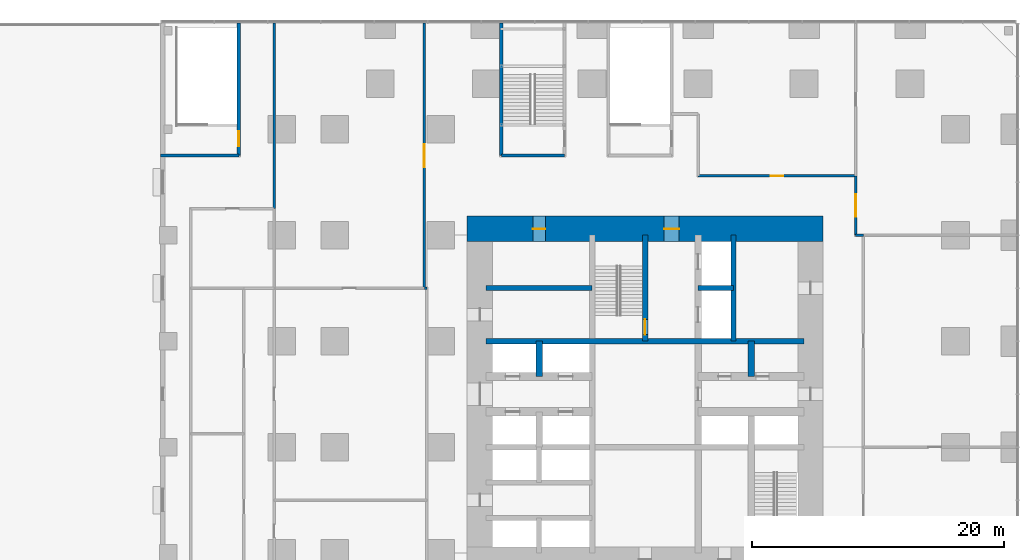
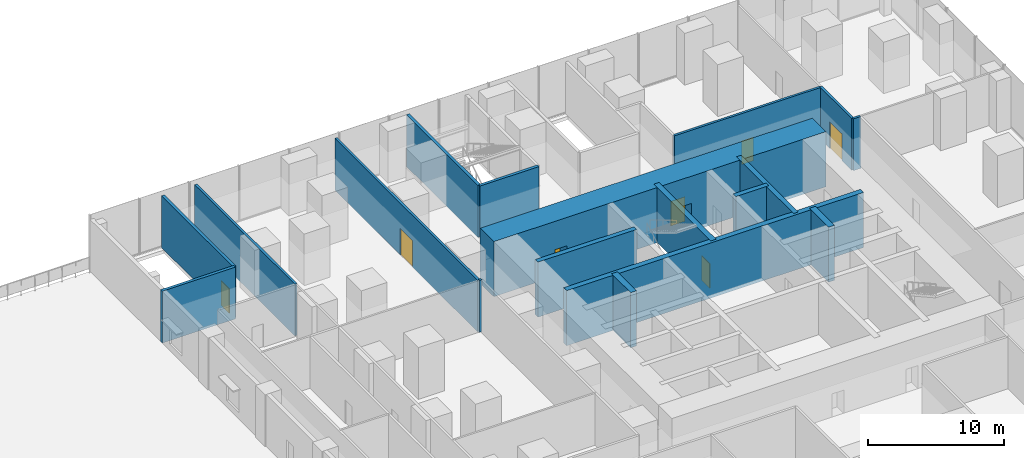
# One storey, part 14 of 18: 18 walls, 7 doors, 7 openings.
"""IFC4 building model written with IfcOpenShell, lengths in metres."""

from ifc_helpers import new_model, si_unit, direction, frame, frame_2d, origin, place, context, subcontext, project, spatial, rectangle, extrude, material, layer, layer_set, type_object, element, fill, save


model = new_model("IFC4")

# Units and contexts
model_context = context("Model", 3, precision=1e-05, world=origin(), true_north=direction((0.0, 1.0)))
body_context = subcontext(model_context, "Body", "Model", "MODEL_VIEW")
ifc_project = project(units=[si_unit("LENGTHUNIT", "METRE"), si_unit("AREAUNIT", "SQUARE_METRE"), si_unit("VOLUMEUNIT", "CUBIC_METRE"), si_unit("PLANEANGLEUNIT", "RADIAN"), si_unit("MASSUNIT", "GRAM", prefix="KILO")], contexts=[model_context])

# Site, building, storey
site_placement = place(None, origin())
site = spatial("IfcSite", under=ifc_project, at=site_placement, CompositionType="ELEMENT")
building_placement = place(site_placement, origin())
building = spatial("IfcBuilding", under=site, at=building_placement, Name="Dunama Terrace Hotel", CompositionType="ELEMENT")
storey_placement = place(building_placement, frame((0.0, 0.0, 17.0)))
storey = spatial("IfcBuildingStorey", under=building, at=storey_placement, Name="L03", CompositionType="ELEMENT", Elevation=17.0)

# Walls
ifc_material_1 = material(Name="Concrete C50/60", Category="concrete")
ifc_layer_1 = layer(ifc_material_1, 0.39990234375)
ifc_layer_set_1 = layer_set([ifc_layer_1], Name="Core inner wall 400")
wall_type_1 = type_object("IfcWallType", Name="Core inner wall 400", PredefinedType="SHEAR", material=ifc_layer_set_1)
for number, where, z_axis, x_axis, name in (
    (1, (36.39990234375, 33.60009765625, -0.300048828125), (0.0, 0.0, 1.0), (0.0, 1.0, 0.0), "Core inner wall 400 L03"),
    (2, (16.800048828125, 37.800048828125, -0.300048828125), (0.0, 0.0, 1.0), (1.0, 0.0, 0.0), "Core inner wall 400 L03"),
):
    element("IfcWall", number, at=place(storey_placement, frame(where, z_axis=z_axis, x_axis=x_axis)), inside=storey, type_object=wall_type_1, Name=name, PredefinedType="SHEAR", context=body_context, shape_type="SweptSolid", body=[
        extrude(rectangle(XDim=8.39990234375, YDim=0.39990234375, at=frame_2d((4.199951171875, 0.0))), origin(), (0.0, 0.0, 1.0), 4.949951171875),
    ])
wall_1_placement = place(storey_placement, frame((33.60009765625, 37.800048828125, -0.300048828125), z_axis=(0.0, 0.0, 1.0), x_axis=(1.0, 0.0, 0.0)))
element("IfcWall", 3, at=wall_1_placement, inside=storey, type_object=wall_type_1, Name="Core inner wall 400 L03", PredefinedType="SHEAR", context=body_context, shape_type="SweptSolid", body=[
    extrude(rectangle(XDim=2.7998046875, YDim=0.39990234375, at=frame_2d((1.39990234375, 0.0))), origin(), (0.0, 0.0, 1.0), 4.949951171875),
])

# Wall, opening, door
ifc_material_2 = material(Name="Concrete C50/60", Category="concrete")
ifc_layer_2 = layer(ifc_material_2, 0.449951171875)
ifc_layer_set_2 = layer_set([ifc_layer_2], Name="Core inner wall 450")
wall_type_2 = type_object("IfcWallType", Name="Core inner wall 450", PredefinedType="SHEAR", material=ifc_layer_set_2)
wall_2_placement = place(storey_placement, frame((29.39990234375, 33.60009765625, -0.300048828125), z_axis=(0.0, 0.0, 1.0), x_axis=(0.0, 1.0, 0.0)))
wall_2 = element("IfcWall", 4, at=wall_2_placement, inside=storey, type_object=wall_type_2, Name="Core inner wall 450 L03", PredefinedType="SHEAR", context=body_context, shape_type="SweptSolid", body=[
    extrude(rectangle(XDim=8.39990234375, YDim=0.449951171875, at=frame_2d((4.199951171875, 0.0))), origin(), (0.0, 0.0, 1.0), 4.949951171875),
])
opening_1_placement = place(wall_2_placement, frame((0.52490234375, 0.0, 0.300048828125)))
opening_1 = element("IfcOpeningElement", 5, at=opening_1_placement, cuts=wall_2, Name="Opening L03-006", PredefinedType="OPENING", context=body_context, shape_type="SweptSolid", body=[
    extrude(rectangle(XDim=1.199951171875, YDim=2.199951171875, at=frame_2d((0.60009765625, 1.10009765625))), frame((0.0, 0.23486328125, 0.0), z_axis=(0.0, -1.0, 0.0), x_axis=(1.0, 0.0, 0.0)), (0.0, 0.0, 1.0), 0.469970703125),
])
ifc_material_3 = material(Name="Timber door with steel frame", Category="steel")
door_type_1 = type_object("IfcDoorType", Name="Stair door 1200", OperationType="SINGLE_SWING_LEFT", PredefinedType="DOOR", material=ifc_material_3)
door_1_placement = place(opening_1_placement, origin())
door_1 = element("IfcDoor", 6, at=door_1_placement, inside=storey, type_object=door_type_1, Name="Stair door ST1 L03-006, type D5", OperationType="SINGLE_SWING_LEFT", OverallHeight=2.199951171875, OverallWidth=1.199951171875, PredefinedType="DOOR", context=body_context, shape_type="SweptSolid", body=[
    extrude(rectangle(XDim=1.199951171875, YDim=2.199951171875, at=frame_2d((0.60009765625, 1.10009765625))), frame((0.0, 0.02490234375, 0.0), z_axis=(0.0, -1.0, 0.0), x_axis=(1.0, 0.0, 0.0)), (0.0, 0.0, 1.0), 0.050048828125),
])
fill(opening_1, door_1)

# Walls
wall_3_placement = place(storey_placement, frame((16.800048828125, 33.60009765625, -0.300048828125), z_axis=(0.0, 0.0, 1.0), x_axis=(1.0, 0.0, 0.0)))
element("IfcWall", 7, at=wall_3_placement, inside=storey, type_object=wall_type_2, Name="Core inner wall 450 L03", PredefinedType="SHEAR", context=body_context, shape_type="SweptSolid", body=[
    extrude(rectangle(XDim=25.199951171875, YDim=0.449951171875, at=frame_2d((12.60009765625, 0.0))), origin(), (0.0, 0.0, 1.0), 4.949951171875),
])
ifc_material_4 = material(Name="Concrete C50/60", Category="concrete")
ifc_layer_3 = layer(ifc_material_4, 0.5)
ifc_layer_set_3 = layer_set([ifc_layer_3], Name="Core inner wall 500")
wall_type_3 = type_object("IfcWallType", Name="Core inner wall 500", PredefinedType="SHEAR", material=ifc_layer_set_3)
for number, where, z_axis, x_axis, name in (
    (8, (21.0, 30.800048828125, -0.300048828125), (0.0, 0.0, 1.0), (0.0, 1.0, 0.0), "Core inner wall 500 L03"),
    (9, (37.800048828125, 30.800048828125, -0.300048828125), (0.0, 0.0, 1.0), (0.0, 1.0, 0.0), "Core inner wall 500 L03"),
):
    element("IfcWall", number, at=place(storey_placement, frame(where, z_axis=z_axis, x_axis=x_axis)), inside=storey, type_object=wall_type_3, Name=name, PredefinedType="SHEAR", context=body_context, shape_type="SweptSolid", body=[
        extrude(rectangle(XDim=2.800048828125, YDim=0.5, at=frame_2d((1.39990234375, 0.0))), origin(), (0.0, 0.0, 1.0), 4.949951171875),
    ])

# Wall, openings, doors
ifc_material_5 = material(Name="Concrete C60/75", Category="concrete")
ifc_layer_4 = layer(ifc_material_5, 2.0)
ifc_layer_set_4 = layer_set([ifc_layer_4], Name="Core wall 2000")
wall_type_4 = type_object("IfcWallType", Name="Core wall 2000", PredefinedType="SHEAR", material=ifc_layer_set_4)
wall_4_placement = place(storey_placement, frame((43.5, 42.5, -0.300048828125), z_axis=(0.0, 0.0, 1.0), x_axis=(-1.0, 0.0, 0.0)))
wall_4 = element("IfcWall", 10, at=wall_4_placement, inside=storey, type_object=wall_type_4, Name="Core wall north L03", PredefinedType="SHEAR", context=body_context, shape_type="SweptSolid", body=[
    extrude(rectangle(XDim=28.199951171875, YDim=2.0, at=frame_2d((14.10009765625, 0.0))), origin(), (0.0, 0.0, 1.0), 4.949951171875),
])
opening_2_placement = place(wall_4_placement, frame((22.0, 0.0, 0.300048828125)))
opening_2 = element("IfcOpeningElement", 11, at=opening_2_placement, cuts=wall_4, Name="Opening L03-021", PredefinedType="OPENING", context=body_context, shape_type="SweptSolid", body=[
    extrude(rectangle(XDim=1.0, YDim=2.10009765625, at=frame_2d((0.5, 1.050048828125))), frame((0.0, 1.010009765625, 0.0), z_axis=(0.0, -1.0, 0.0), x_axis=(1.0, 0.0, 0.0)), (0.0, 0.0, 1.0), 2.02001953125),
])
opening_3_placement = place(wall_4_placement, frame((11.39990234375, 0.0, 0.300048828125)))
opening_3 = element("IfcOpeningElement", 12, at=opening_3_placement, cuts=wall_4, Name="Opening L03-026", PredefinedType="OPENING", context=body_context, shape_type="SweptSolid", body=[
    extrude(rectangle(XDim=1.199951171875, YDim=2.199951171875, at=frame_2d((0.60009765625, 1.10009765625))), frame((0.0, 1.010009765625, 0.0), z_axis=(0.0, -1.0, 0.0), x_axis=(1.0, 0.0, 0.0)), (0.0, 0.0, 1.0), 2.02001953125),
])
ifc_material_6 = material(Name="Timber door with steel frame", Category="steel")
door_type_2 = type_object("IfcDoorType", Name="Firefighting lobby door 1200", OperationType="SINGLE_SWING_LEFT", PredefinedType="DOOR", material=ifc_material_6)
door_2_placement = place(opening_3_placement, origin())
door_2 = element("IfcDoor", 13, at=door_2_placement, inside=storey, type_object=door_type_2, Name="Door to firefighting lobby L03-026, type D4", OperationType="SINGLE_SWING_LEFT", OverallHeight=2.199951171875, OverallWidth=1.199951171875, PredefinedType="DOOR", context=body_context, shape_type="SweptSolid", body=[
    extrude(rectangle(XDim=1.199951171875, YDim=2.199951171875, at=frame_2d((0.60009765625, 1.10009765625))), frame((0.0, 0.02490234375, 0.0), z_axis=(0.0, -1.0, 0.0), x_axis=(1.0, 0.0, 0.0)), (0.0, 0.0, 1.0), 0.050048828125),
])
fill(opening_3, door_2)
ifc_material_7 = material(Name="Timber door with steel frame", Category="steel")
door_type_3 = type_object("IfcDoorType", Name="Service door 1000", OperationType="SINGLE_SWING_LEFT", PredefinedType="DOOR", material=ifc_material_7)
door_3_placement = place(opening_2_placement, origin())
door_3 = element("IfcDoor", 14, at=door_3_placement, inside=storey, type_object=door_type_3, Name="Door to communications and riser room L03-021, type D7", OperationType="SINGLE_SWING_RIGHT", OverallHeight=2.10009765625, OverallWidth=1.0, PredefinedType="DOOR", context=body_context, shape_type="SweptSolid", body=[
    extrude(rectangle(XDim=1.0, YDim=2.10009765625, at=frame_2d((0.5, 1.050048828125))), frame((0.0, 0.02490234375, 0.0), z_axis=(0.0, -1.0, 0.0), x_axis=(1.0, 0.0, 0.0)), (0.0, 0.0, 1.0), 0.050048828125),
])
fill(opening_2, door_3)

# Wall
ifc_material_8 = material(Name="Concrete blockwork", Category="masonry")
ifc_layer_5 = layer(ifc_material_8, 0.199951171875)
ifc_layer_set_5 = layer_set([ifc_layer_5], Name="Corridor partition 200")
wall_type_5 = type_object("IfcWallType", Name="Corridor partition 200", PredefinedType="PARTITIONING", material=ifc_layer_set_5)
wall_5_placement = place(storey_placement, frame((0.0, 44.10009765625, 0.0), z_axis=(0.0, 0.0, 1.0), x_axis=(0.0, 1.0, 0.0)))
element("IfcWall", 15, at=wall_5_placement, inside=storey, type_object=wall_type_5, Name="Corridor partition 200 L03", PredefinedType="PARTITIONING", context=body_context, shape_type="SweptSolid", body=[
    extrude(rectangle(XDim=14.722900390625, YDim=0.199951171875, at=frame_2d((7.361328125, 0.0))), origin(), (0.0, 0.0, 1.0), 4.64990234375),
])

# Wall, opening, door
wall_6_placement = place(storey_placement, frame((46.0869140625, 42.0, 0.0), z_axis=(0.0, 0.0, 1.0), x_axis=(0.0, 1.0, 0.0)))
wall_6 = element("IfcWall", 16, at=wall_6_placement, inside=storey, type_object=wall_type_5, Name="Corridor partition 200 L03", PredefinedType="PARTITIONING", context=body_context, shape_type="SweptSolid", body=[
    extrude(rectangle(XDim=4.699951171875, YDim=0.199951171875, at=frame_2d((2.35009765625, 0.0))), origin(), (0.0, 0.0, 1.0), 4.64990234375),
])
opening_4_placement = place(wall_6_placement, frame((1.449951171875, 0.0, 0.0)))
opening_4 = element("IfcOpeningElement", 17, at=opening_4_placement, cuts=wall_6, Name="Opening L03-041", PredefinedType="OPENING", context=body_context, shape_type="SweptSolid", body=[
    extrude(rectangle(XDim=1.800048828125, YDim=2.39990234375, at=frame_2d((0.89990234375, 1.199951171875))), frame((0.0, 0.10986328125, 0.0), z_axis=(0.0, -1.0, 0.0), x_axis=(1.0, 0.0, 0.0)), (0.0, 0.0, 1.0), 0.219970703125),
])
ifc_material_9 = material(Name="Aluminium-framed glazed door", Category="aluminium")
door_type_4 = type_object("IfcDoorType", Name="Glazed double door 1800", OperationType="DOUBLE_DOOR_DOUBLE_SWING", PredefinedType="DOOR", material=ifc_material_9)
door_4_placement = place(opening_4_placement, origin())
door_4 = element("IfcDoor", 18, at=door_4_placement, inside=storey, type_object=door_type_4, Name="Door to grill restaurant L03-041, type D8", OperationType="DOUBLE_DOOR_DOUBLE_SWING", OverallHeight=2.39990234375, OverallWidth=1.800048828125, PredefinedType="DOOR", context=body_context, shape_type="SweptSolid", body=[
    extrude(rectangle(XDim=1.800048828125, YDim=2.39990234375, at=frame_2d((0.89990234375, 1.199951171875))), frame((0.0, 0.02490234375, 0.0), z_axis=(0.0, -1.0, 0.0), x_axis=(1.0, 0.0, 0.0)), (0.0, 0.0, 1.0), 0.050048828125),
])
fill(opening_4, door_4)

# Wall
wall_7_placement = place(storey_placement, frame((11.89990234375, 37.800048828125, 0.0), z_axis=(0.0, 0.0, 1.0), x_axis=(1.0, 0.0, 0.0)))
element("IfcWall", 19, at=wall_7_placement, inside=storey, type_object=wall_type_5, Name="Corridor partition 200 L03", PredefinedType="PARTITIONING", context=body_context, shape_type="SweptSolid", body=[
    extrude(rectangle(XDim=0.2001953125, YDim=0.199951171875, at=frame_2d((0.10009765625, 0.0))), origin(), (0.0, 0.0, 1.0), 4.64990234375),
])

# Wall, opening, door
wall_8_placement = place(storey_placement, frame((33.60009765625, 46.699951171875, 0.0), z_axis=(0.0, 0.0, 1.0), x_axis=(1.0, 0.0, 0.0)))
wall_8 = element("IfcWall", 20, at=wall_8_placement, inside=storey, type_object=wall_type_5, Name="Corridor partition 200 L03", PredefinedType="PARTITIONING", context=body_context, shape_type="SweptSolid", body=[
    extrude(rectangle(XDim=12.48681640625, YDim=0.199951171875, at=frame_2d((6.243408203125, 0.0))), origin(), (0.0, 0.0, 1.0), 4.64990234375),
])
opening_5_placement = place(wall_8_placement, frame((5.743896484375, 0.0, 0.0)))
opening_5 = element("IfcOpeningElement", 21, at=opening_5_placement, cuts=wall_8, Name="Opening L03-043", PredefinedType="OPENING", context=body_context, shape_type="SweptSolid", body=[
    extrude(rectangle(XDim=1.0, YDim=2.10009765625, at=frame_2d((0.5, 1.050048828125))), frame((0.0, 0.10986328125, 0.0), z_axis=(0.0, -1.0, 0.0), x_axis=(1.0, 0.0, 0.0)), (0.0, 0.0, 1.0), 0.219970703125),
])
door_5_placement = place(opening_5_placement, origin())
door_5 = element("IfcDoor", 22, at=door_5_placement, inside=storey, type_object=door_type_3, Name="Door to grill kitchen L03-043, type D7", OperationType="SINGLE_SWING_LEFT", OverallHeight=2.10009765625, OverallWidth=1.0, PredefinedType="DOOR", context=body_context, shape_type="SweptSolid", body=[
    extrude(rectangle(XDim=1.0, YDim=2.10009765625, at=frame_2d((0.5, 1.050048828125))), frame((0.0, 0.02490234375, 0.0), z_axis=(0.0, -1.0, 0.0), x_axis=(1.0, 0.0, 0.0)), (0.0, 0.0, 1.0), 0.050048828125),
])
fill(opening_5, door_5)

wall_9_placement = place(storey_placement, frame((11.89990234375, 58.822998046875, 0.0), z_axis=(0.0, 0.0, 1.0), x_axis=(0.0, -1.0, 0.0)))
wall_9 = element("IfcWall", 23, at=wall_9_placement, inside=storey, type_object=wall_type_5, Name="Corridor partition 200 L03", PredefinedType="PARTITIONING", context=body_context, shape_type="SweptSolid", body=[
    extrude(rectangle(XDim=21.02294921875, YDim=0.199951171875, at=frame_2d((10.511474609375, 0.0))), origin(), (0.0, 0.0, 1.0), 4.64990234375),
])
opening_6_placement = place(wall_9_placement, frame((9.623046875, 0.0, 0.0)))
opening_6 = element("IfcOpeningElement", 24, at=opening_6_placement, cuts=wall_9, Name="Opening L03-030", PredefinedType="OPENING", context=body_context, shape_type="SweptSolid", body=[
    extrude(rectangle(XDim=1.800048828125, YDim=2.39990234375, at=frame_2d((0.89990234375, 1.199951171875))), frame((0.0, 0.10986328125, 0.0), z_axis=(0.0, -1.0, 0.0), x_axis=(1.0, 0.0, 0.0)), (0.0, 0.0, 1.0), 0.219970703125),
])
door_6_placement = place(opening_6_placement, origin())
door_6 = element("IfcDoor", 25, at=door_6_placement, inside=storey, type_object=door_type_4, Name="Door to all-day dining restaurant L03-030, type D8", OperationType="DOUBLE_DOOR_DOUBLE_SWING", OverallHeight=2.39990234375, OverallWidth=1.800048828125, PredefinedType="DOOR", context=body_context, shape_type="SweptSolid", body=[
    extrude(rectangle(XDim=1.800048828125, YDim=2.39990234375, at=frame_2d((0.89990234375, 1.199951171875))), frame((0.0, 0.02490234375, 0.0), z_axis=(0.0, -1.0, 0.0), x_axis=(1.0, 0.0, 0.0)), (0.0, 0.0, 1.0), 0.050048828125),
])
fill(opening_6, door_6)

# Wall
wall_10_placement = place(storey_placement, frame((46.699951171875, 42.0, 0.0), z_axis=(0.0, 0.0, 1.0), x_axis=(-1.0, 0.0, 0.0)))
element("IfcWall", 26, at=wall_10_placement, inside=storey, type_object=wall_type_5, Name="Corridor partition 200 L03", PredefinedType="PARTITIONING", context=body_context, shape_type="SweptSolid", body=[
    extrude(rectangle(XDim=0.613037109375, YDim=0.199951171875, at=frame_2d((0.306640625, 0.0))), origin(), (0.0, 0.0, 1.0), 4.64990234375),
])

# Wall, opening, door
ifc_material_10 = material(Name="Concrete blockwork", Category="masonry")
ifc_layer_6 = layer(ifc_material_10, 0.25)
ifc_layer_set_6 = layer_set([ifc_layer_6], Name="Stair enclosure wall 250")
wall_type_6 = type_object("IfcWallType", Name="Stair enclosure wall 250", PredefinedType="PARTITIONING", material=ifc_layer_set_6)
wall_11_placement = place(storey_placement, frame((-2.800048828125, 48.300048828125, 0.0), z_axis=(0.0, 0.0, 1.0), x_axis=(0.0, 1.0, 0.0)))
wall_11 = element("IfcWall", 27, at=wall_11_placement, inside=storey, type_object=wall_type_6, Name="Stair enclosure wall 250 L03", PredefinedType="PARTITIONING", context=body_context, shape_type="SweptSolid", body=[
    extrude(rectangle(XDim=10.52294921875, YDim=0.25, at=frame_2d((5.261474609375, 0.0))), origin(), (0.0, 0.0, 1.0), 4.64990234375),
])
opening_7_placement = place(wall_11_placement, frame((0.72509765625, 0.0, 0.0)))
opening_7 = element("IfcOpeningElement", 28, at=opening_7_placement, cuts=wall_11, Name="Opening L03-008", PredefinedType="OPENING", context=body_context, shape_type="SweptSolid", body=[
    extrude(rectangle(XDim=1.199951171875, YDim=2.199951171875, at=frame_2d((0.60009765625, 1.10009765625))), frame((0.0, 0.135009765625, 0.0), z_axis=(0.0, -1.0, 0.0), x_axis=(1.0, 0.0, 0.0)), (0.0, 0.0, 1.0), 0.27001953125),
])
door_7_placement = place(opening_7_placement, origin())
door_7 = element("IfcDoor", 29, at=door_7_placement, inside=storey, type_object=door_type_1, Name="Stair door P3 L03-008, type D5", OperationType="SINGLE_SWING_LEFT", OverallHeight=2.199951171875, OverallWidth=1.199951171875, PredefinedType="DOOR", context=body_context, shape_type="SweptSolid", body=[
    extrude(rectangle(XDim=1.199951171875, YDim=2.199951171875, at=frame_2d((0.60009765625, 1.10009765625))), frame((0.0, 0.02490234375, 0.0), z_axis=(0.0, -1.0, 0.0), x_axis=(1.0, 0.0, 0.0)), (0.0, 0.0, 1.0), 0.050048828125),
])
fill(opening_7, door_7)

# Walls
wall_12_placement = place(storey_placement, frame((18.0, 48.300048828125, 0.0), z_axis=(0.0, 0.0, 1.0), x_axis=(0.0, 1.0, 0.0)))
element("IfcWall", 30, at=wall_12_placement, inside=storey, type_object=wall_type_6, Name="Stair enclosure wall 250 L03", PredefinedType="PARTITIONING", context=body_context, shape_type="SweptSolid", body=[
    extrude(rectangle(XDim=10.52294921875, YDim=0.25, at=frame_2d((5.261474609375, 0.0))), origin(), (0.0, 0.0, 1.0), 4.64990234375),
])
wall_13_placement = place(storey_placement, frame((-9.0, 48.300048828125, 0.0), z_axis=(0.0, 0.0, 1.0), x_axis=(1.0, 0.0, 0.0)))
element("IfcWall", 31, at=wall_13_placement, inside=storey, type_object=wall_type_6, Name="Stair enclosure wall 250 L03", PredefinedType="PARTITIONING", context=body_context, shape_type="SweptSolid", body=[
    extrude(rectangle(XDim=6.199951171875, YDim=0.25, at=frame_2d((3.10009765625, 0.0))), origin(), (0.0, 0.0, 1.0), 4.64990234375),
])
wall_14_placement = place(storey_placement, frame((18.0, 48.300048828125, 0.0), z_axis=(0.0, 0.0, 1.0), x_axis=(1.0, 0.0, 0.0)))
element("IfcWall", 32, at=wall_14_placement, inside=storey, type_object=wall_type_6, Name="Stair enclosure wall 250 L03", PredefinedType="PARTITIONING", context=body_context, shape_type="SweptSolid", body=[
    extrude(rectangle(XDim=5.0, YDim=0.25, at=frame_2d((2.5, 0.0))), origin(), (0.0, 0.0, 1.0), 4.64990234375),
])

save(model, "model.ifc")
